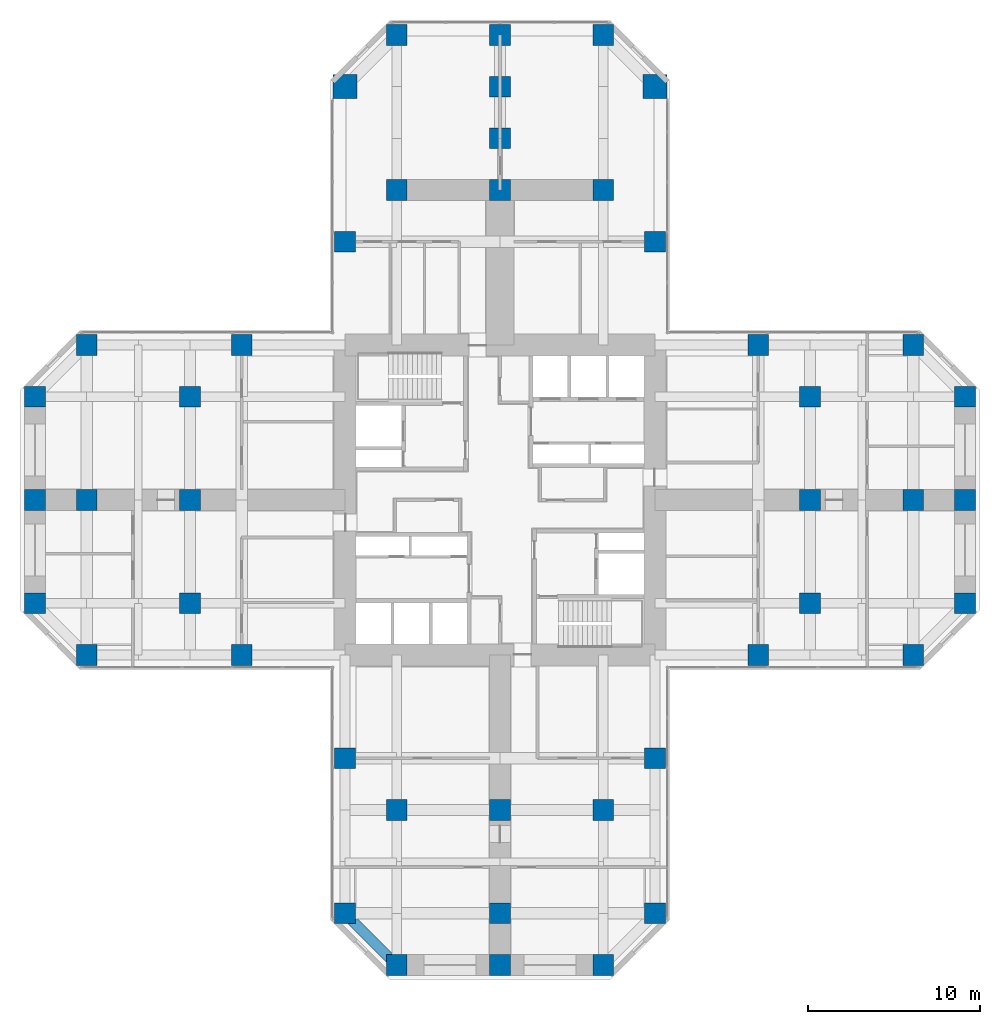
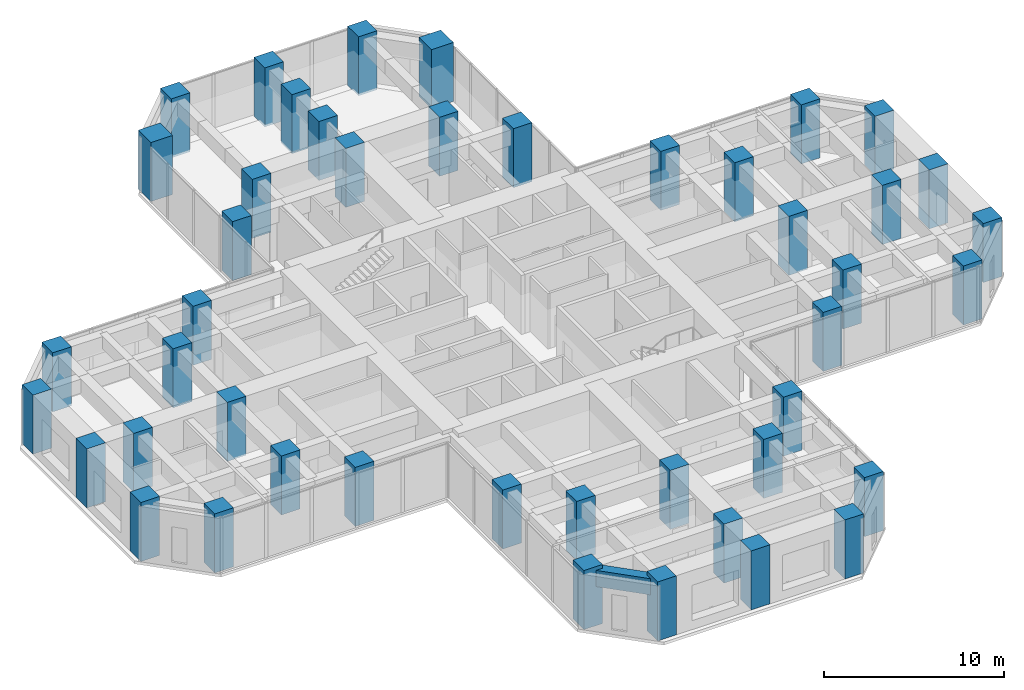
# One storey, part 1 of 13: 45 columns, 1 beam.
"""IFC4 building model written with IfcOpenShell, lengths in metres."""

import ifcopenshell
import ifcopenshell.guid

model = None  # the IFC model being written
_history = None  # IfcOwnerHistory: only IFC2X3 demands one
_inside = {}  # id of a spatial element -> (the spatial element, [elements in it])
_under = {}  # id of a project, library or spatial element -> (it, [spatial elements below it])
_declared = {}  # id of a project -> (the project, [libraries it declares])
_typed = {}  # id of a type object -> (the type object, [elements of that type])
_made_of = {}  # id of a material, layer set ... -> (it, [elements and type objects made of it])


def new_model(schema):
    """Start an empty IFC model of exactly this schema.

    Asked for "IFC4X3", IfcOpenShell would pick the latest addendum, in which some entities
    have other attributes; the version numbers below select the first issue.
    IFC2X3 requires an IfcOwnerHistory on every rooted entity: one is made here for all.
    """
    global model, _history
    if schema == "IFC4X3":
        model = ifcopenshell.file(schema_version=(4, 3, 0, 0))
    else:
        model = ifcopenshell.file(schema=schema)
    _inside.clear()
    _under.clear()
    _declared.clear()
    _typed.clear()
    _made_of.clear()
    _history = None
    if model.schema == "IFC2X3":
        org = make("IfcOrganization", Name="unknown")
        user = make(
            "IfcPersonAndOrganization",
            ThePerson=make("IfcPerson", FamilyName="unknown"),
            TheOrganization=org,
        )
        app = make(
            "IfcApplication",
            ApplicationDeveloper=org,
            Version="unknown",
            ApplicationFullName="unknown",
            ApplicationIdentifier="unknown",
        )
        _history = make(
            "IfcOwnerHistory",
            OwningUser=user,
            OwningApplication=app,
            ChangeAction="ADDED",
            CreationDate=0,
        )
    return model


def make(cls, **values):
    """One entity of the class cls with the attributes given. An attribute that is None is left unset."""
    return model.create_entity(
        cls, **{name: value for name, value in values.items() if value is not None}
    )


def rooted(cls, **values):
    """An entity with a GlobalId (a new one), such as an element, a storey or a relation."""
    return make(cls, GlobalId=ifcopenshell.guid.new(), OwnerHistory=_history, **values)


def si_unit(unit_type, name, prefix=None):
    """IfcSIUnit, for example si_unit("LENGTHUNIT", "METRE", prefix="MILLI")."""
    return make("IfcSIUnit", UnitType=unit_type, Prefix=prefix, Name=name)


def assignment(units):
    """IfcUnitAssignment: the units of a project."""
    return None if units is None else make("IfcUnitAssignment", Units=units)


def point(xyz):
    """IfcCartesianPoint."""
    return None if xyz is None else make("IfcCartesianPoint", Coordinates=xyz)


def direction(xyz):
    """IfcDirection."""
    return None if xyz is None else make("IfcDirection", DirectionRatios=xyz)


def frame(location, z_axis=None, x_axis=None):
    """IfcAxis2Placement3D, a coordinate frame: its origin and axes. An axis left out is left unset."""
    return make(
        "IfcAxis2Placement3D",
        Location=point(location),
        Axis=direction(z_axis),
        RefDirection=direction(x_axis),
    )


def frame_2d(location, x_axis=None):
    """IfcAxis2Placement2D, a coordinate frame in the plane: its origin and x axis."""
    return make(
        "IfcAxis2Placement2D", Location=point(location), RefDirection=direction(x_axis)
    )


def origin():
    """The frame at (0, 0, 0) with its axes left unset."""
    return frame((0.0, 0.0, 0.0))


def origin_2d():
    """The frame at (0, 0) in the plane with its x axis left unset."""
    return frame_2d((0.0, 0.0))


def place(relative_to, where):
    """IfcLocalPlacement: puts the frame where relative to a parent placement (None: the world)."""
    return make(
        "IfcLocalPlacement", PlacementRelTo=relative_to, RelativePlacement=where
    )


def context(
    kind, dimensions, precision=None, world=None, true_north=None, identifier=None
):
    """IfcGeometricRepresentationContext, for example the 3D "Model" context."""
    return make(
        "IfcGeometricRepresentationContext",
        ContextIdentifier=identifier,
        ContextType=kind,
        CoordinateSpaceDimension=dimensions,
        Precision=precision,
        WorldCoordinateSystem=world,
        TrueNorth=true_north,
    )


def subcontext(parent, identifier, kind, view, scale=None):
    """IfcGeometricRepresentationSubContext, for example "Body" below "Model"."""
    return make(
        "IfcGeometricRepresentationSubContext",
        ContextIdentifier=identifier,
        ContextType=kind,
        ParentContext=parent,
        TargetScale=scale,
        TargetView=view,
    )


def project(units=None, contexts=None):
    """IfcProject with its units and contexts."""
    return rooted(
        "IfcProject",
        Name="project",
        RepresentationContexts=contexts,
        UnitsInContext=assignment(units),
    )


def spatial(cls, under=None, at=None, **own):
    """A site, building, storey or space (cls), placed at a placement, below another one or the project."""
    s = rooted(cls, ObjectPlacement=at, **own)
    if under is not None:
        _under.setdefault(under.id(), (under, []))[1].append(s)
    return s


def profile(cls, at=None, kind="AREA", **sizes):
    """A parametric profile (cls). Its sizes go by their IFC names, for example OverallWidth=200.0."""
    return make(cls, ProfileType=kind, Position=at, **sizes)


def rectangle(**sizes):
    """IfcRectangleProfileDef."""
    return profile("IfcRectangleProfileDef", **sizes)


def extrude(swept, where, along, depth):
    """IfcExtrudedAreaSolid: the profile swept, set in the frame where, extruded along a direction by depth."""
    return make(
        "IfcExtrudedAreaSolid",
        SweptArea=swept,
        Position=where,
        ExtrudedDirection=direction(along),
        Depth=depth,
    )


def shape(context_of_items, identifier, shape_type, items):
    """IfcShapeRepresentation: the items that make up one representation, for example the "Body"."""
    return make(
        "IfcShapeRepresentation",
        ContextOfItems=context_of_items,
        RepresentationIdentifier=identifier,
        RepresentationType=shape_type,
        Items=items,
    )


def material(Name=None, Category=None):
    """IfcMaterial."""
    return make("IfcMaterial", Name=Name, Category=Category)


def material_profile(
    of_material, cross_section, Name=None, Category=None, Priority=None
):
    """IfcMaterialProfile: a cross section and its material."""
    return make(
        "IfcMaterialProfile",
        Name=Name,
        Material=of_material,
        Profile=cross_section,
        Priority=Priority,
        Category=Category,
    )


def profile_set(profiles, Name=None, composite=None):
    """IfcMaterialProfileSet."""
    return make(
        "IfcMaterialProfileSet",
        Name=Name,
        MaterialProfiles=profiles,
        CompositeProfile=composite,
    )


def made_of(thing, what):
    """Note that an element or type object is made of a material, layer set ...; save() writes the relation."""
    if what is not None:
        _made_of.setdefault(what.id(), (what, []))[1].append(thing)
    return thing


def type_object(cls, material=None, **own):
    """A type object (cls), such as IfcWallType, which elements share."""
    return made_of(rooted(cls, **own), material)


def element(
    cls,
    number,
    at=None,
    inside=None,
    cuts=None,
    type_object=None,
    material=None,
    context=None,
    identifier="Body",
    shape_type=None,
    held_by="IfcProductDefinitionShape",
    body=None,
    shapes=None,
    **own,
):
    """One element of the class cls, such as IfcWall. Its Tag is "e" and its number.

    at: its placement. inside: the storey or other place that contains it. cuts: it is an
    opening in that element (IfcRelVoidsElement). A single representation is given by context,
    identifier, shape_type and body (its items); several are given by shapes. held_by: the class
    of the entity that holds the representations. save() writes the other relations.
    """
    e = rooted(cls, Tag="e%d" % number, ObjectPlacement=at, **own)
    if body is not None:
        shapes = [shape(context, identifier, shape_type, body)]
    if shapes is not None:
        e.Representation = make(held_by, Representations=shapes)
    if inside is not None:
        _inside.setdefault(inside.id(), (inside, []))[1].append(e)
    if cuts is not None:
        rooted(
            "IfcRelVoidsElement", RelatingBuildingElement=cuts, RelatedOpeningElement=e
        )
    if type_object is not None:
        _typed.setdefault(type_object.id(), (type_object, []))[1].append(e)
    return made_of(e, material)


def aggregate(whole, parts):
    """IfcRelAggregates: a whole, such as a stair, and the parts it consists of."""
    return rooted("IfcRelAggregates", RelatingObject=whole, RelatedObjects=parts)


def save(model, path):
    """Write the relations noted so far, then the file.

    IfcRelAggregates (storeys below a building ...), IfcRelContainedInSpatialStructure (elements
    in a storey), IfcRelDefinesByType, IfcRelAssociatesMaterial and IfcRelDeclares: one each for
    every whole, place, type object, material and project.
    """
    for whole, parts in _under.values():
        aggregate(whole, parts)
    for where, things in _inside.values():
        rooted(
            "IfcRelContainedInSpatialStructure",
            RelatedElements=things,
            RelatingStructure=where,
        )
    for kind, things in _typed.values():
        rooted("IfcRelDefinesByType", RelatedObjects=things, RelatingType=kind)
    for what, things in _made_of.values():
        rooted("IfcRelAssociatesMaterial", RelatedObjects=things, RelatingMaterial=what)
    for by, libraries in _declared.values():
        rooted("IfcRelDeclares", RelatingContext=by, RelatedDefinitions=libraries)
    model.write(path)


model = new_model("IFC4")

# Units and contexts
model_context = context("Model", 3, precision=1e-05, world=origin(), true_north=direction((0.0, 1.0)))
body_context = subcontext(model_context, "Body", "Model", "MODEL_VIEW")
ifc_project = project(units=[si_unit("LENGTHUNIT", "METRE"), si_unit("AREAUNIT", "SQUARE_METRE"), si_unit("VOLUMEUNIT", "CUBIC_METRE"), si_unit("PLANEANGLEUNIT", "RADIAN"), si_unit("MASSUNIT", "GRAM", prefix="KILO")], contexts=[model_context])

# Site, building, storey
site_placement = place(None, origin())
site = spatial("IfcSite", under=ifc_project, at=site_placement, CompositionType="ELEMENT")
building_placement = place(site_placement, origin())
building = spatial("IfcBuilding", under=site, at=building_placement, Name="Torre Cruceta", CompositionType="ELEMENT")
storey_placement = place(building_placement, frame((0.0, 0.0, 91.5)))
storey = spatial("IfcBuildingStorey", under=building, at=storey_placement, Name="L22", CompositionType="ELEMENT", Elevation=91.5)

# Columns
ifc_material_1 = material(Name="Concrete G60 (fck 60 MPa)", Category="concrete")
ifc_material_profile_1 = material_profile(ifc_material_1, rectangle(XDim=1.199951171875, YDim=1.199951171875, at=origin_2d()), Name="RC 1200X1200")
ifc_profile_set_1 = profile_set([ifc_material_profile_1], Name="Concrete G60 (fck 60 MPa)")
column_type_1 = type_object("IfcColumnType", Name="COLUMN RC 1200X1200", PredefinedType="COLUMN", material=ifc_profile_set_1)
for number, where, z_axis, x_axis, name in (
    (1, (9.0, 15.0, 0.0), (0.0, 0.0, 1.0), (1.0, 0.0, 0.0), "C3 L22 N side"),
    (2, (-9.0, 15.0, 0.0), (0.0, 0.0, 1.0), (1.0, 0.0, 0.0), "C3 L22 N side"),
    (3, (6.0, 27.0, 0.0), (0.0, 0.0, 1.0), (1.0, 0.0, 0.0), "C3 L22 N tip"),
    (4, (0.0, 27.0, 0.0), (0.0, 0.0, 1.0), (1.0, 0.0, 0.0), "C3 L22 N tip"),
    (5, (-6.0, 27.0, 0.0), (0.0, 0.0, 1.0), (1.0, 0.0, 0.0), "C3 L22 N tip"),
    (6, (15.0, -9.0, 0.0), (0.0, 0.0, 1.0), (1.0, 0.0, 0.0), "C3 L22 E side"),
    (7, (24.0, -9.0, 0.0), (0.0, 0.0, 1.0), (1.0, 0.0, 0.0), "C3 L22 E chamfer"),
    (8, (15.0, 9.0, 0.0), (0.0, 0.0, 1.0), (1.0, 0.0, 0.0), "C3 L22 E side"),
    (9, (24.0, 9.0, 0.0), (0.0, 0.0, 1.0), (1.0, 0.0, 0.0), "C3 L22 E chamfer"),
    (10, (27.0, -6.0, 0.0), (0.0, 0.0, 1.0), (1.0, 0.0, 0.0), "C3 L22 E tip"),
    (11, (27.0, 0.0, 0.0), (0.0, 0.0, 1.0), (1.0, 0.0, 0.0), "C3 L22 E tip"),
    (12, (27.0, 6.0, 0.0), (0.0, 0.0, 1.0), (1.0, 0.0, 0.0), "C3 L22 E tip"),
    (13, (-9.0, -15.0, 0.0), (0.0, 0.0, 1.0), (1.0, 0.0, 0.0), "C3 L22 S side"),
    (14, (-9.0, -24.0, 0.0), (0.0, 0.0, 1.0), (1.0, 0.0, 0.0), "C3 L22 S chamfer"),
    (15, (9.0, -15.0, 0.0), (0.0, 0.0, 1.0), (1.0, 0.0, 0.0), "C3 L22 S side"),
    (16, (9.0, -24.0, 0.0), (0.0, 0.0, 1.0), (1.0, 0.0, 0.0), "C3 L22 S chamfer"),
    (17, (-6.0, -27.0, 0.0), (0.0, 0.0, 1.0), (1.0, 0.0, 0.0), "C3 L22 S tip"),
    (18, (0.0, -27.0, 0.0), (0.0, 0.0, 1.0), (1.0, 0.0, 0.0), "C3 L22 S tip"),
    (19, (6.0, -27.0, 0.0), (0.0, 0.0, 1.0), (1.0, 0.0, 0.0), "C3 L22 S tip"),
    (20, (-15.0, 9.0, 0.0), (0.0, 0.0, 1.0), (1.0, 0.0, 0.0), "C3 L22 W side"),
    (21, (-24.0, 9.0, 0.0), (0.0, 0.0, 1.0), (1.0, 0.0, 0.0), "C3 L22 W chamfer"),
    (22, (-15.0, -9.0, 0.0), (0.0, 0.0, 1.0), (1.0, 0.0, 0.0), "C3 L22 W side"),
    (23, (-24.0, -9.0, 0.0), (0.0, 0.0, 1.0), (1.0, 0.0, 0.0), "C3 L22 W chamfer"),
    (24, (-27.0, 6.0, 0.0), (0.0, 0.0, 1.0), (1.0, 0.0, 0.0), "C3 L22 W tip"),
    (25, (-27.0, 0.0, 0.0), (0.0, 0.0, 1.0), (1.0, 0.0, 0.0), "C3 L22 W tip"),
    (26, (-27.0, -6.0, 0.0), (0.0, 0.0, 1.0), (1.0, 0.0, 0.0), "C3 L22 W tip"),
    (27, (6.0, 18.0, 0.0), (0.0, 0.0, 1.0), (1.0, 0.0, 0.0), "C3 L22 N interior"),
    (28, (0.0, 18.0, 0.0), (0.0, 0.0, 1.0), (1.0, 0.0, 0.0), "C3 L22 N interior"),
    (29, (-6.0, 18.0, 0.0), (0.0, 0.0, 1.0), (1.0, 0.0, 0.0), "C3 L22 N interior"),
    (30, (0.0, 21.0, 0.0), (0.0, 0.0, 1.0), (1.0, 0.0, 0.0), "C3 L22 N interior"),
    (31, (0.0, 24.0, 0.0), (0.0, 0.0, 1.0), (1.0, 0.0, 0.0), "C3 L22 N interior"),
    (32, (18.0, -6.0, 0.0), (0.0, 0.0, 1.0), (1.0, 0.0, 0.0), "C3 L22 E interior"),
    (33, (18.0, 0.0, 0.0), (0.0, 0.0, 1.0), (1.0, 0.0, 0.0), "C3 L22 E interior"),
    (34, (18.0, 6.0, 0.0), (0.0, 0.0, 1.0), (1.0, 0.0, 0.0), "C3 L22 E interior"),
    (35, (24.0, 0.0, 0.0), (0.0, 0.0, 1.0), (1.0, 0.0, 0.0), "C3 L22 E interior"),
    (36, (-6.0, -18.0, 0.0), (0.0, 0.0, 1.0), (1.0, 0.0, 0.0), "C3 L22 S interior"),
    (37, (0.0, -18.0, 0.0), (0.0, 0.0, 1.0), (1.0, 0.0, 0.0), "C3 L22 S interior"),
    (38, (6.0, -18.0, 0.0), (0.0, 0.0, 1.0), (1.0, 0.0, 0.0), "C3 L22 S interior"),
    (39, (0.0, -24.0, 0.0), (0.0, 0.0, 1.0), (1.0, 0.0, 0.0), "C3 L22 S interior"),
    (40, (-18.0, 6.0, 0.0), (0.0, 0.0, 1.0), (1.0, 0.0, 0.0), "C3 L22 W interior"),
    (41, (-18.0, 0.0, 0.0), (0.0, 0.0, 1.0), (1.0, 0.0, 0.0), "C3 L22 W interior"),
    (42, (-18.0, -6.0, 0.0), (0.0, 0.0, 1.0), (1.0, 0.0, 0.0), "C3 L22 W interior"),
    (43, (-24.0, 0.0, 0.0), (0.0, 0.0, 1.0), (1.0, 0.0, 0.0), "C3 L22 W interior"),
):
    element("IfcColumn", number, at=place(storey_placement, frame(where, z_axis=z_axis, x_axis=x_axis)), inside=storey, type_object=column_type_1, Name=name, PredefinedType="COLUMN", context=body_context, shape_type="SweptSolid", body=[
        extrude(rectangle(XDim=1.199951171875, YDim=1.199951171875, at=origin_2d()), origin(), (0.0, 0.0, 1.0), 4.0),
    ])
ifc_material_2 = material(Name="Concrete G60 (fck 60 MPa)", Category="concrete")
ifc_material_profile_2 = material_profile(ifc_material_2, rectangle(XDim=1.39990234375, YDim=1.39990234375, at=origin_2d()), Name="RC 1400X1400")
ifc_profile_set_2 = profile_set([ifc_material_profile_2], Name="Concrete G60 (fck 60 MPa)")
column_type_2 = type_object("IfcColumnType", Name="COLUMN RC 1400X1400", PredefinedType="COLUMN", material=ifc_profile_set_2)
for number, where, z_axis, x_axis, name in (
    (44, (9.0, 24.0, 0.0), (0.0, 0.0, 1.0), (1.0, 0.0, 0.0), "C1 L22 N chamfer"),
    (45, (-9.0, 24.0, 0.0), (0.0, 0.0, 1.0), (1.0, 0.0, 0.0), "C1 L22 N chamfer"),
):
    element("IfcColumn", number, at=place(storey_placement, frame(where, z_axis=z_axis, x_axis=x_axis)), inside=storey, type_object=column_type_2, Name=name, PredefinedType="COLUMN", context=body_context, shape_type="SweptSolid", body=[
        extrude(rectangle(XDim=1.39990234375, YDim=1.39990234375, at=origin_2d()), origin(), (0.0, 0.0, 1.0), 4.0),
    ])

# Beam
ifc_material_3 = material(Name="Concrete G60 (fck 60 MPa)", Category="concrete")
ifc_material_profile_3 = material_profile(ifc_material_3, rectangle(XDim=0.60009765625, YDim=1.10009765625, at=origin_2d()), Name="RC 600X1100")
ifc_profile_set_3 = profile_set([ifc_material_profile_3], Name="Concrete G60 (fck 60 MPa)")
beam_type = type_object("IfcBeamType", Name="SPANDREL BEAM RC 600X1100", PredefinedType="SPANDREL", material=ifc_profile_set_3)
beam_placement = place(storey_placement, frame((-9.0, -24.0, 3.199951171875), z_axis=(0.707106781187, -0.707106781187, 0.0), x_axis=(0.707106781187, 0.707106781187, 0.0)))
element("IfcBeam", 46, at=beam_placement, inside=storey, type_object=beam_type, Name="SB2 L22 S side- 5", PredefinedType="SPANDREL", context=body_context, shape_type="SweptSolid", body=[
    extrude(rectangle(XDim=0.60009765625, YDim=1.10009765625, at=origin_2d()), origin(), (0.0, 0.0, 1.0), 4.24267578125),
])

save(model, "model.ifc")
